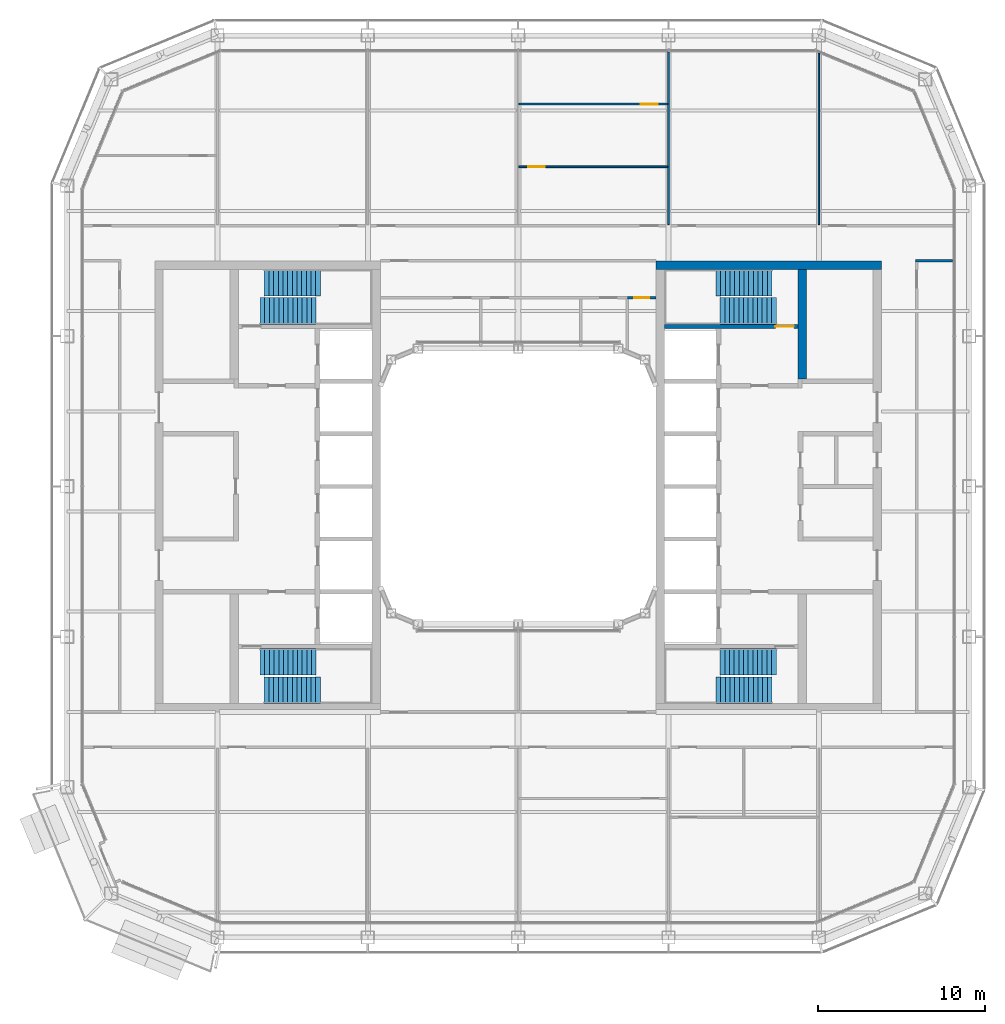
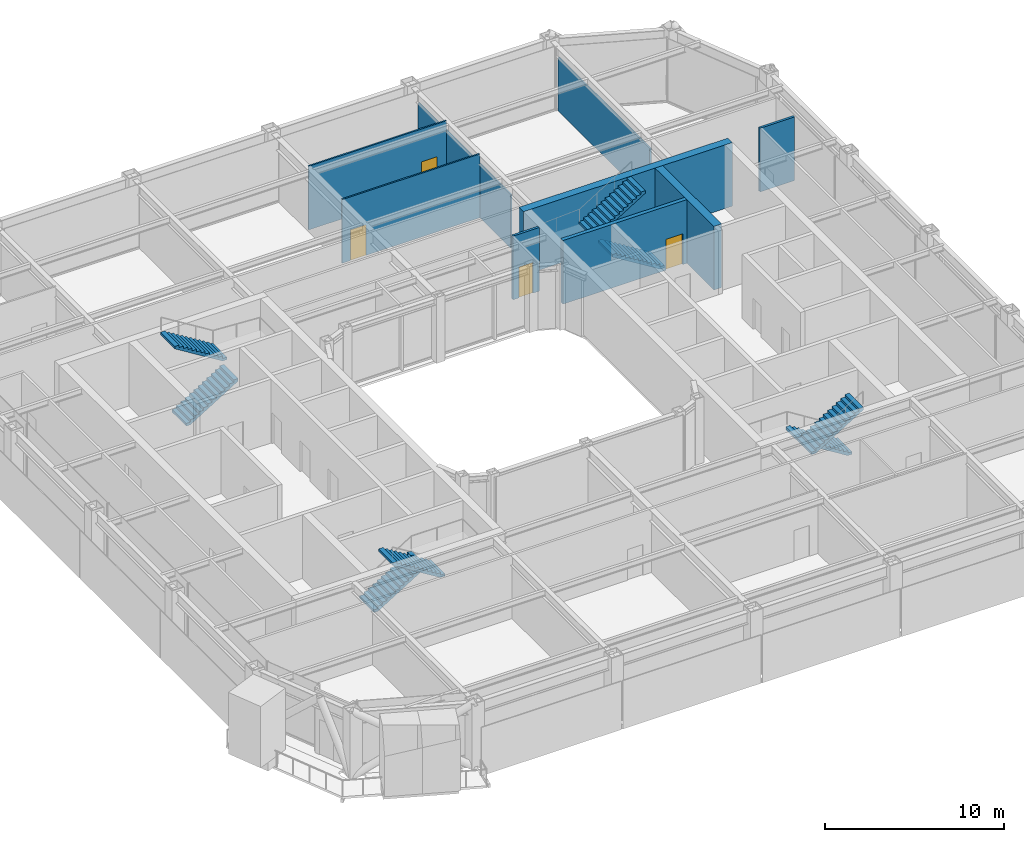
# One storey, part 16 of 23: 9 walls, 8 stair flights, 4 doors, 4 openings, 4 elements without a shape of their own.
"""IFC4 building model written with IfcOpenShell, lengths in metres."""

from ifc_helpers import new_model, si_unit, direction, frame, frame_2d, origin, place, context, subcontext, project, spatial, polyline, rectangle, outline, extrude, material, layer, layer_set, type_object, element, fill, aggregate, save


model = new_model("IFC4")

# Units and contexts
model_context = context("Model", 3, precision=1e-05, world=origin(), true_north=direction((0.0, 1.0)))
body_context = subcontext(model_context, "Body", "Model", "MODEL_VIEW")
ifc_project = project(units=[si_unit("LENGTHUNIT", "METRE"), si_unit("AREAUNIT", "SQUARE_METRE"), si_unit("VOLUMEUNIT", "CUBIC_METRE"), si_unit("PLANEANGLEUNIT", "RADIAN"), si_unit("MASSUNIT", "GRAM", prefix="KILO")], contexts=[model_context])

# Site, building, storey
site_placement = place(None, origin())
site = spatial("IfcSite", under=ifc_project, at=site_placement, CompositionType="ELEMENT")
building_placement = place(site_placement, origin())
building = spatial("IfcBuilding", under=site, at=building_placement, Name="Siwar Civic Tower", CompositionType="ELEMENT")
storey_placement = place(building_placement, frame((0.0, 0.0, 269.199951171875)))
storey = spatial("IfcBuildingStorey", under=building, at=storey_placement, Name="L58", CompositionType="ELEMENT", Elevation=269.199951171875)

# Wall, opening, door
ifc_material_1 = material(Name="Gypsum board on steel studs", Category="steel")
ifc_layer_1 = layer(ifc_material_1, 0.14990234375)
ifc_layer_set_1 = layer_set([ifc_layer_1], Name="Gypsum board on steel studs")
wall_type_1 = type_object("IfcWallType", Name="COMPARTMENT PARTITION 150 EI 60", PredefinedType="PARTITIONING", material=ifc_layer_set_1)
wall_1_placement = place(storey_placement, frame((6.5400390625, 11.300048828125, 0.0), z_axis=(0.0, 0.0, 1.0), x_axis=(1.0, 0.0, 0.0)))
wall_1 = element("IfcWall", 1, at=wall_1_placement, inside=storey, type_object=wall_type_1, Name="L58/wall/P09", PredefinedType="PARTITIONING", context=body_context, shape_type="SweptSolid", body=[
    extrude(rectangle(XDim=1.7099609375, YDim=0.14990234375, at=frame_2d((0.85498046875, 0.0))), origin(), (0.0, 0.0, 1.0), 4.35009765625),
])
opening_1_placement = place(wall_1_placement, frame((0.39990234375, 0.0, 0.0)))
opening_1 = element("IfcOpeningElement", 2, at=opening_1_placement, cuts=wall_1, Name="Opening D4", PredefinedType="OPENING", context=body_context, shape_type="SweptSolid", body=[
    extrude(rectangle(XDim=0.89990234375, YDim=2.10009765625, at=frame_2d((0.449951171875, 1.050048828125))), frame((0.0, 0.0849609375, 0.0), z_axis=(0.0, -1.0, 0.0), x_axis=(1.0, 0.0, 0.0)), (0.0, 0.0, 1.0), 0.169921875),
])
ifc_material_2 = material(Name="Timber, painted", Category="wood")
door_type_1 = type_object("IfcDoorType", Name="DOOR 900 X 2100 FD60", OperationType="SINGLE_SWING_LEFT", PredefinedType="DOOR", material=ifc_material_2)
door_1_placement = place(opening_1_placement, origin())
door_1 = element("IfcDoor", 3, at=door_1_placement, inside=storey, type_object=door_type_1, Name="L58-D25", OperationType="SINGLE_SWING_LEFT", OverallHeight=2.10009765625, OverallWidth=0.89990234375, PredefinedType="DOOR", context=body_context, shape_type="SweptSolid", body=[
    extrude(rectangle(XDim=0.89990234375, YDim=2.10009765625, at=frame_2d((0.449951171875, 1.050048828125))), frame((0.0, 0.02490234375, 0.0), z_axis=(0.0, -1.0, 0.0), x_axis=(1.0, 0.0, 0.0)), (0.0, 0.0, 1.0), 0.050048828125),
])
fill(opening_1, door_1)

ifc_material_3 = material(Name="Concrete C60/75", Category="concrete")
ifc_layer_2 = layer(ifc_material_3, 0.25)
ifc_layer_set_2 = layer_set([ifc_layer_2], Name="Concrete C60/75")
wall_type_2 = type_object("IfcWallType", Name="CORE-WALL-RC250", PredefinedType="SHEAR", material=ifc_layer_set_2)
wall_2_placement = place(storey_placement, frame((8.75, 9.574951171875, 0.0), z_axis=(0.0, 0.0, 1.0), x_axis=(1.0, 0.0, 0.0)))
wall_2 = element("IfcWall", 4, at=wall_2_placement, inside=storey, type_object=wall_type_2, Name="Core wall E", PredefinedType="SHEAR", context=body_context, shape_type="SweptSolid", body=[
    extrude(rectangle(XDim=8.0, YDim=0.25, at=frame_2d((4.0, 0.0))), origin(), (0.0, 0.0, 1.0), 4.35009765625),
])
opening_2_placement = place(wall_2_placement, frame((6.64990234375, 0.0, 0.0)))
opening_2 = element("IfcOpeningElement", 5, at=opening_2_placement, cuts=wall_2, Name="Opening L58-CE03", PredefinedType="OPENING", context=body_context, shape_type="SweptSolid", body=[
    extrude(rectangle(XDim=1.10009765625, YDim=2.10009765625, at=frame_2d((0.550048828125, 1.050048828125))), frame((0.0, 0.135009765625, 0.0), z_axis=(0.0, -1.0, 0.0), x_axis=(1.0, 0.0, 0.0)), (0.0, 0.0, 1.0), 0.27001953125),
])
ifc_material_4 = material(Name="Steel door leaf", Category="steel")
door_type_2 = type_object("IfcDoorType", Name="CORE-DOOR-FD60S", OperationType="SINGLE_SWING_LEFT", PredefinedType="DOOR", material=ifc_material_4)
door_2_placement = place(opening_2_placement, origin())
door_2 = element("IfcDoor", 6, at=door_2_placement, inside=storey, type_object=door_type_2, Name="Stair door L58-CE03", OperationType="SINGLE_SWING_LEFT", OverallHeight=2.10009765625, OverallWidth=1.10009765625, PredefinedType="DOOR", context=body_context, shape_type="SweptSolid", body=[
    extrude(rectangle(XDim=1.10009765625, YDim=2.10009765625, at=frame_2d((0.550048828125, 1.050048828125))), frame((0.0, 0.02490234375, 0.0), z_axis=(0.0, -1.0, 0.0), x_axis=(1.0, 0.0, 0.0)), (0.0, 0.0, 1.0), 0.050048828125),
])
fill(opening_2, door_2)

# Walls
ifc_material_5 = material(Name="Concrete C60/75", Category="concrete")
ifc_layer_3 = layer(ifc_material_5, 0.5)
ifc_layer_set_3 = layer_set([ifc_layer_3], Name="Concrete C60/75")
wall_type_3 = type_object("IfcWallType", Name="CORE-WALL-RC500", PredefinedType="SHEAR", material=ifc_layer_set_3)
wall_3_placement = place(storey_placement, frame((17.0, 6.425048828125, 0.0), z_axis=(0.0, 0.0, 1.0), x_axis=(0.0, 1.0, 0.0)))
element("IfcWall", 7, at=wall_3_placement, inside=storey, type_object=wall_type_3, Name="Core wall E", PredefinedType="SHEAR", context=body_context, shape_type="SweptSolid", body=[
    extrude(rectangle(XDim=6.574951171875, YDim=0.5, at=frame_2d((3.28759765625, 0.0))), origin(), (0.0, 0.0, 1.0), 4.35009765625),
])
wall_4_placement = place(storey_placement, frame((8.25, 13.25, 0.0), z_axis=(0.0, 0.0, 1.0), x_axis=(1.0, 0.0, 0.0)))
element("IfcWall", 8, at=wall_4_placement, inside=storey, type_object=wall_type_3, Name="Core wall E", PredefinedType="SHEAR", context=body_context, shape_type="SweptSolid", body=[
    extrude(rectangle(XDim=13.5, YDim=0.5, at=frame_2d((6.75, 0.0))), origin(), (0.0, 0.0, 1.0), 4.35009765625),
])
ifc_material_6 = material(Name="Gypsum board on steel studs", Category="steel")
ifc_layer_4 = layer(ifc_material_6, 0.14990234375)
ifc_layer_set_4 = layer_set([ifc_layer_4], Name="Gypsum board on steel studs")
wall_type_4 = type_object("IfcWallType", Name="CORRIDOR PARTITION 150 EI 30", PredefinedType="PARTITIONING", material=ifc_layer_set_4)
wall_5_placement = place(storey_placement, frame((23.77490234375, 13.5, 0.0), z_axis=(0.0, 0.0, 1.0), x_axis=(1.0, 0.0, 0.0)))
element("IfcWall", 9, at=wall_5_placement, inside=storey, type_object=wall_type_4, Name="L58/wall/P12", PredefinedType="PARTITIONING", context=body_context, shape_type="SweptSolid", body=[
    extrude(rectangle(XDim=2.235107421875, YDim=0.14990234375, at=frame_2d((1.11767578125, 0.0))), origin(), (0.0, 0.0, 1.0), 4.35009765625),
])

# Wall, opening, door
ifc_material_7 = material(Name="Gypsum board on steel studs", Category="steel")
ifc_layer_5 = layer(ifc_material_7, 0.10009765625)
ifc_layer_set_5 = layer_set([ifc_layer_5], Name="Gypsum board on steel studs")
wall_type_5 = type_object("IfcWallType", Name="PARTITION 100 GYPSUM", PredefinedType="PARTITIONING", material=ifc_layer_set_5)
wall_6_placement = place(storey_placement, frame((0.050048828125, 19.138916015625, 0.0), z_axis=(0.0, 0.0, 1.0), x_axis=(1.0, 0.0, 0.0)))
wall_6 = element("IfcWall", 10, at=wall_6_placement, inside=storey, type_object=wall_type_5, Name="L58/wall/P14", PredefinedType="PARTITIONING", context=body_context, shape_type="SweptSolid", body=[
    extrude(rectangle(XDim=8.89990234375, YDim=0.10009765625, at=frame_2d((4.449951171875, 0.0))), origin(), (0.0, 0.0, 1.0), 4.35009765625),
])
opening_3_placement = place(wall_6_placement, frame((0.550048828125, 0.0, 0.0)))
opening_3 = element("IfcOpeningElement", 11, at=opening_3_placement, cuts=wall_6, Name="Opening D2", PredefinedType="OPENING", context=body_context, shape_type="SweptSolid", body=[
    extrude(rectangle(XDim=1.0, YDim=2.10009765625, at=frame_2d((0.5, 1.050048828125))), frame((0.0, 0.06005859375, 0.0), z_axis=(0.0, -1.0, 0.0), x_axis=(1.0, 0.0, 0.0)), (0.0, 0.0, 1.0), 0.1201171875),
])
ifc_material_8 = material(Name="Timber, painted", Category="wood")
door_type_3 = type_object("IfcDoorType", Name="DOOR 1000 X 2100", OperationType="SINGLE_SWING_LEFT", PredefinedType="DOOR", material=ifc_material_8)
door_3_placement = place(opening_3_placement, origin())
door_3 = element("IfcDoor", 12, at=door_3_placement, inside=storey, type_object=door_type_3, Name="L58-D04", OperationType="SINGLE_SWING_RIGHT", OverallHeight=2.10009765625, OverallWidth=1.0, PredefinedType="DOOR", context=body_context, shape_type="SweptSolid", body=[
    extrude(rectangle(XDim=1.0, YDim=2.10009765625, at=frame_2d((0.5, 1.050048828125))), frame((0.0, 0.02490234375, 0.0), z_axis=(0.0, -1.0, 0.0), x_axis=(1.0, 0.0, 0.0)), (0.0, 0.0, 1.0), 0.050048828125),
])
fill(opening_3, door_3)

wall_7_placement = place(storey_placement, frame((0.050048828125, 22.886962890625, 0.0), z_axis=(0.0, 0.0, 1.0), x_axis=(1.0, 0.0, 0.0)))
wall_7 = element("IfcWall", 13, at=wall_7_placement, inside=storey, type_object=wall_type_5, Name="L58/wall/P16", PredefinedType="PARTITIONING", context=body_context, shape_type="SweptSolid", body=[
    extrude(rectangle(XDim=8.89990234375, YDim=0.10009765625, at=frame_2d((4.449951171875, 0.0))), origin(), (0.0, 0.0, 1.0), 4.35009765625),
])
opening_4_placement = place(wall_7_placement, frame((7.300048828125, 0.0, 0.0)))
opening_4 = element("IfcOpeningElement", 14, at=opening_4_placement, cuts=wall_7, Name="Opening D2", PredefinedType="OPENING", context=body_context, shape_type="SweptSolid", body=[
    extrude(rectangle(XDim=1.0, YDim=2.10009765625, at=frame_2d((0.5, 1.050048828125))), frame((0.0, 0.06005859375, 0.0), z_axis=(0.0, -1.0, 0.0), x_axis=(1.0, 0.0, 0.0)), (0.0, 0.0, 1.0), 0.1201171875),
])
door_4_placement = place(opening_4_placement, origin())
door_4 = element("IfcDoor", 15, at=door_4_placement, inside=storey, type_object=door_type_3, Name="L58-D05", OperationType="SINGLE_SWING_LEFT", OverallHeight=2.10009765625, OverallWidth=1.0, PredefinedType="DOOR", context=body_context, shape_type="SweptSolid", body=[
    extrude(rectangle(XDim=1.0, YDim=2.10009765625, at=frame_2d((0.5, 1.050048828125))), frame((0.0, 0.02490234375, 0.0), z_axis=(0.0, -1.0, 0.0), x_axis=(1.0, 0.0, 0.0)), (0.0, 0.0, 1.0), 0.050048828125),
])
fill(opening_4, door_4)

# Walls
wall_8_placement = place(storey_placement, frame((9.0, 15.675048828125, 0.0), z_axis=(0.0, 0.0, 1.0), x_axis=(0.0, 1.0, 0.0)))
element("IfcWall", 16, at=wall_8_placement, inside=storey, type_object=wall_type_5, Name="L58/wall/P29", PredefinedType="PARTITIONING", context=body_context, shape_type="SweptSolid", body=[
    extrude(rectangle(XDim=10.3349609375, YDim=0.10009765625, at=frame_2d((5.16748046875, 0.0))), origin(), (0.0, 0.0, 1.0), 3.650146484375),
])
wall_9_placement = place(storey_placement, frame((18.0, 15.675048828125, 0.0), z_axis=(0.0, 0.0, 1.0), x_axis=(0.0, 1.0, 0.0)))
element("IfcWall", 17, at=wall_9_placement, inside=storey, type_object=wall_type_5, Name="L58/wall/P32", PredefinedType="PARTITIONING", context=body_context, shape_type="SweptSolid", body=[
    extrude(rectangle(XDim=10.2529296875, YDim=0.10009765625, at=frame_2d((5.12646484375, 0.0))), origin(), (0.0, 0.0, 1.0), 3.650146484375),
])

# Stair, stair flights
ifc_material_9 = material(Name="Concrete C40/50", Category="concrete")
stair_type = type_object("IfcStairType", Name="CORE-STAIR", PredefinedType="TWO_STRAIGHT_RUN_STAIR", material=ifc_material_9)
stair_1_placement = place(storey_placement, origin())
stair_1 = element("IfcStair", 18, at=stair_1_placement, inside=storey, type_object=stair_type, Name="Exit stair ST1", PredefinedType="TWO_STRAIGHT_RUN_STAIR")
ifc_material_10 = material(Name="Concrete C40/50", Category="concrete")
stair_flight_type = type_object("IfcStairFlightType", Name="CORE-STAIR-FLIGHT", PredefinedType="STRAIGHT", material=ifc_material_10)
stair_flight_1_placement = place(storey_placement, frame((-15.449951171875, 10.5, 0.0), z_axis=(0.0, 0.0, 1.0), x_axis=(1.0, 0.0, 0.0)))
stair_flight_1 = element("IfcStairFlight", 19, at=stair_flight_1_placement, type_object=stair_flight_type, Name="ST1 flight 1", NumberOfRisers=13, NumberOfTreads=12, PredefinedType="STRAIGHT", RiserHeight=0.173076923, TreadLength=0.28, context=body_context, shape_type="SweptSolid", body=[
    extrude(outline(polyline([(0.0, 0.0), (0.0, 0.173095703125), (0.280029296875, 0.173095703125), (0.280029296875, 0.34619140625), (0.56005859375, 0.34619140625), (0.56005859375, 0.519287109375), (0.840087890625, 0.519287109375), (0.840087890625, 0.6923828125), (1.1201171875, 0.6923828125), (1.1201171875, 0.865478515625), (1.39990234375, 0.865478515625), (1.39990234375, 1.03857421875), (1.679931640625, 1.03857421875), (1.679931640625, 1.21142578125), (1.9599609375, 1.21142578125), (1.9599609375, 1.384521484375), (2.239990234375, 1.384521484375), (2.239990234375, 1.5576171875), (2.52001953125, 1.5576171875), (2.52001953125, 1.730712890625), (2.800048828125, 1.730712890625), (2.800048828125, 1.90380859375), (3.080078125, 1.90380859375), (3.080078125, 2.076904296875), (3.360107421875, 2.076904296875), (3.360107421875, 2.25), (3.360107421875, 1.900634765625), (0.28515625, 0.0), (0.0, 0.0)])), frame((0.0, 0.800048828125, 0.0), z_axis=(0.0, -1.0, 0.0), x_axis=(1.0, 0.0, 0.0)), (0.0, 0.0, 1.0), 1.60009765625),
])
stair_flight_2_placement = place(storey_placement, frame((-11.840087890625, 12.199951171875, 2.25), z_axis=(0.0, 0.0, 1.0), x_axis=(-1.0, 0.0, 0.0)))
stair_flight_2 = element("IfcStairFlight", 20, at=stair_flight_2_placement, type_object=stair_flight_type, Name="ST1 flight 2", NumberOfRisers=13, NumberOfTreads=12, PredefinedType="STRAIGHT", RiserHeight=0.173076923, TreadLength=0.28, context=body_context, shape_type="SweptSolid", body=[
    extrude(outline(polyline([(0.0, 0.0), (0.0, 0.173095703125), (0.280029296875, 0.173095703125), (0.280029296875, 0.34619140625), (0.56005859375, 0.34619140625), (0.56005859375, 0.519287109375), (0.840087890625, 0.519287109375), (0.840087890625, 0.6923828125), (1.1201171875, 0.6923828125), (1.1201171875, 0.865478515625), (1.39990234375, 0.865478515625), (1.39990234375, 1.03857421875), (1.679931640625, 1.03857421875), (1.679931640625, 1.21142578125), (1.9599609375, 1.21142578125), (1.9599609375, 1.384521484375), (2.239990234375, 1.384521484375), (2.239990234375, 1.5576171875), (2.52001953125, 1.5576171875), (2.52001953125, 1.730712890625), (2.800048828125, 1.730712890625), (2.800048828125, 1.90380859375), (3.080078125, 1.90380859375), (3.080078125, 2.076904296875), (3.360107421875, 2.076904296875), (3.360107421875, 2.25), (3.360107421875, 1.900634765625), (0.28515625, 0.0), (0.0, 0.0)])), frame((0.0, 0.800048828125, 0.0), z_axis=(0.0, -1.0, 0.0), x_axis=(1.0, 0.0, 0.0)), (0.0, 0.0, 1.0), 1.60009765625),
])
aggregate(stair_1, [stair_flight_1, stair_flight_2])

stair_2_placement = place(storey_placement, origin())
stair_2 = element("IfcStair", 21, at=stair_2_placement, inside=storey, type_object=stair_type, Name="Exit stair ST2", PredefinedType="TWO_STRAIGHT_RUN_STAIR")
stair_flight_3_placement = place(storey_placement, frame((-15.449951171875, -10.5, 0.0), z_axis=(0.0, 0.0, 1.0), x_axis=(1.0, 0.0, 0.0)))
stair_flight_3 = element("IfcStairFlight", 22, at=stair_flight_3_placement, type_object=stair_flight_type, Name="ST2 flight 1", NumberOfRisers=13, NumberOfTreads=12, PredefinedType="STRAIGHT", RiserHeight=0.173076923, TreadLength=0.28, context=body_context, shape_type="SweptSolid", body=[
    extrude(outline(polyline([(0.0, 0.0), (0.0, 0.173095703125), (0.280029296875, 0.173095703125), (0.280029296875, 0.34619140625), (0.56005859375, 0.34619140625), (0.56005859375, 0.519287109375), (0.840087890625, 0.519287109375), (0.840087890625, 0.6923828125), (1.1201171875, 0.6923828125), (1.1201171875, 0.865478515625), (1.39990234375, 0.865478515625), (1.39990234375, 1.03857421875), (1.679931640625, 1.03857421875), (1.679931640625, 1.21142578125), (1.9599609375, 1.21142578125), (1.9599609375, 1.384521484375), (2.239990234375, 1.384521484375), (2.239990234375, 1.5576171875), (2.52001953125, 1.5576171875), (2.52001953125, 1.730712890625), (2.800048828125, 1.730712890625), (2.800048828125, 1.90380859375), (3.080078125, 1.90380859375), (3.080078125, 2.076904296875), (3.360107421875, 2.076904296875), (3.360107421875, 2.25), (3.360107421875, 1.900634765625), (0.28515625, 0.0), (0.0, 0.0)])), frame((0.0, 0.800048828125, 0.0), z_axis=(0.0, -1.0, 0.0), x_axis=(1.0, 0.0, 0.0)), (0.0, 0.0, 1.0), 1.60009765625),
])
stair_flight_4_placement = place(storey_placement, frame((-11.840087890625, -12.199951171875, 2.25), z_axis=(0.0, 0.0, 1.0), x_axis=(-1.0, 0.0, 0.0)))
stair_flight_4 = element("IfcStairFlight", 23, at=stair_flight_4_placement, type_object=stair_flight_type, Name="ST2 flight 2", NumberOfRisers=13, NumberOfTreads=12, PredefinedType="STRAIGHT", RiserHeight=0.173076923, TreadLength=0.28, context=body_context, shape_type="SweptSolid", body=[
    extrude(outline(polyline([(0.0, 0.0), (0.0, 0.173095703125), (0.280029296875, 0.173095703125), (0.280029296875, 0.34619140625), (0.56005859375, 0.34619140625), (0.56005859375, 0.519287109375), (0.840087890625, 0.519287109375), (0.840087890625, 0.6923828125), (1.1201171875, 0.6923828125), (1.1201171875, 0.865478515625), (1.39990234375, 0.865478515625), (1.39990234375, 1.03857421875), (1.679931640625, 1.03857421875), (1.679931640625, 1.21142578125), (1.9599609375, 1.21142578125), (1.9599609375, 1.384521484375), (2.239990234375, 1.384521484375), (2.239990234375, 1.5576171875), (2.52001953125, 1.5576171875), (2.52001953125, 1.730712890625), (2.800048828125, 1.730712890625), (2.800048828125, 1.90380859375), (3.080078125, 1.90380859375), (3.080078125, 2.076904296875), (3.360107421875, 2.076904296875), (3.360107421875, 2.25), (3.360107421875, 1.900634765625), (0.28515625, 0.0), (0.0, 0.0)])), frame((0.0, 0.800048828125, 0.0), z_axis=(0.0, -1.0, 0.0), x_axis=(1.0, 0.0, 0.0)), (0.0, 0.0, 1.0), 1.60009765625),
])
aggregate(stair_2, [stair_flight_3, stair_flight_4])

stair_3_placement = place(storey_placement, origin())
stair_3 = element("IfcStair", 24, at=stair_3_placement, inside=storey, type_object=stair_type, Name="Exit stair ST3", PredefinedType="TWO_STRAIGHT_RUN_STAIR")
stair_flight_5_placement = place(storey_placement, frame((15.449951171875, 10.5, 0.0), z_axis=(0.0, 0.0, 1.0), x_axis=(-1.0, 0.0, 0.0)))
stair_flight_5 = element("IfcStairFlight", 25, at=stair_flight_5_placement, type_object=stair_flight_type, Name="ST3 flight 1", NumberOfRisers=13, NumberOfTreads=12, PredefinedType="STRAIGHT", RiserHeight=0.173076923, TreadLength=0.28, context=body_context, shape_type="SweptSolid", body=[
    extrude(outline(polyline([(0.0, 0.0), (0.0, 0.173095703125), (0.280029296875, 0.173095703125), (0.280029296875, 0.34619140625), (0.56005859375, 0.34619140625), (0.56005859375, 0.519287109375), (0.840087890625, 0.519287109375), (0.840087890625, 0.6923828125), (1.1201171875, 0.6923828125), (1.1201171875, 0.865478515625), (1.39990234375, 0.865478515625), (1.39990234375, 1.03857421875), (1.679931640625, 1.03857421875), (1.679931640625, 1.21142578125), (1.9599609375, 1.21142578125), (1.9599609375, 1.384521484375), (2.239990234375, 1.384521484375), (2.239990234375, 1.5576171875), (2.52001953125, 1.5576171875), (2.52001953125, 1.730712890625), (2.800048828125, 1.730712890625), (2.800048828125, 1.90380859375), (3.080078125, 1.90380859375), (3.080078125, 2.076904296875), (3.360107421875, 2.076904296875), (3.360107421875, 2.25), (3.360107421875, 1.900634765625), (0.28515625, 0.0), (0.0, 0.0)])), frame((0.0, 0.800048828125, 0.0), z_axis=(0.0, -1.0, 0.0), x_axis=(1.0, 0.0, 0.0)), (0.0, 0.0, 1.0), 1.60009765625),
])
stair_flight_6_placement = place(storey_placement, frame((11.840087890625, 12.199951171875, 2.25), z_axis=(0.0, 0.0, 1.0), x_axis=(1.0, 0.0, 0.0)))
stair_flight_6 = element("IfcStairFlight", 26, at=stair_flight_6_placement, type_object=stair_flight_type, Name="ST3 flight 2", NumberOfRisers=13, NumberOfTreads=12, PredefinedType="STRAIGHT", RiserHeight=0.173076923, TreadLength=0.28, context=body_context, shape_type="SweptSolid", body=[
    extrude(outline(polyline([(0.0, 0.0), (0.0, 0.173095703125), (0.280029296875, 0.173095703125), (0.280029296875, 0.34619140625), (0.56005859375, 0.34619140625), (0.56005859375, 0.519287109375), (0.840087890625, 0.519287109375), (0.840087890625, 0.6923828125), (1.1201171875, 0.6923828125), (1.1201171875, 0.865478515625), (1.39990234375, 0.865478515625), (1.39990234375, 1.03857421875), (1.679931640625, 1.03857421875), (1.679931640625, 1.21142578125), (1.9599609375, 1.21142578125), (1.9599609375, 1.384521484375), (2.239990234375, 1.384521484375), (2.239990234375, 1.5576171875), (2.52001953125, 1.5576171875), (2.52001953125, 1.730712890625), (2.800048828125, 1.730712890625), (2.800048828125, 1.90380859375), (3.080078125, 1.90380859375), (3.080078125, 2.076904296875), (3.360107421875, 2.076904296875), (3.360107421875, 2.25), (3.360107421875, 1.900634765625), (0.28515625, 0.0), (0.0, 0.0)])), frame((0.0, 0.800048828125, 0.0), z_axis=(0.0, -1.0, 0.0), x_axis=(1.0, 0.0, 0.0)), (0.0, 0.0, 1.0), 1.60009765625),
])
aggregate(stair_3, [stair_flight_5, stair_flight_6])

stair_4_placement = place(storey_placement, origin())
stair_4 = element("IfcStair", 27, at=stair_4_placement, inside=storey, type_object=stair_type, Name="Exit stair ST4", PredefinedType="TWO_STRAIGHT_RUN_STAIR")
stair_flight_7_placement = place(storey_placement, frame((15.449951171875, -10.5, 0.0), z_axis=(0.0, 0.0, 1.0), x_axis=(-1.0, 0.0, 0.0)))
stair_flight_7 = element("IfcStairFlight", 28, at=stair_flight_7_placement, type_object=stair_flight_type, Name="ST4 flight 1", NumberOfRisers=13, NumberOfTreads=12, PredefinedType="STRAIGHT", RiserHeight=0.173076923, TreadLength=0.28, context=body_context, shape_type="SweptSolid", body=[
    extrude(outline(polyline([(0.0, 0.0), (0.0, 0.173095703125), (0.280029296875, 0.173095703125), (0.280029296875, 0.34619140625), (0.56005859375, 0.34619140625), (0.56005859375, 0.519287109375), (0.840087890625, 0.519287109375), (0.840087890625, 0.6923828125), (1.1201171875, 0.6923828125), (1.1201171875, 0.865478515625), (1.39990234375, 0.865478515625), (1.39990234375, 1.03857421875), (1.679931640625, 1.03857421875), (1.679931640625, 1.21142578125), (1.9599609375, 1.21142578125), (1.9599609375, 1.384521484375), (2.239990234375, 1.384521484375), (2.239990234375, 1.5576171875), (2.52001953125, 1.5576171875), (2.52001953125, 1.730712890625), (2.800048828125, 1.730712890625), (2.800048828125, 1.90380859375), (3.080078125, 1.90380859375), (3.080078125, 2.076904296875), (3.360107421875, 2.076904296875), (3.360107421875, 2.25), (3.360107421875, 1.900634765625), (0.28515625, 0.0), (0.0, 0.0)])), frame((0.0, 0.800048828125, 0.0), z_axis=(0.0, -1.0, 0.0), x_axis=(1.0, 0.0, 0.0)), (0.0, 0.0, 1.0), 1.60009765625),
])
stair_flight_8_placement = place(storey_placement, frame((11.840087890625, -12.199951171875, 2.25), z_axis=(0.0, 0.0, 1.0), x_axis=(1.0, 0.0, 0.0)))
stair_flight_8 = element("IfcStairFlight", 29, at=stair_flight_8_placement, type_object=stair_flight_type, Name="ST4 flight 2", NumberOfRisers=13, NumberOfTreads=12, PredefinedType="STRAIGHT", RiserHeight=0.173076923, TreadLength=0.28, context=body_context, shape_type="SweptSolid", body=[
    extrude(outline(polyline([(0.0, 0.0), (0.0, 0.173095703125), (0.280029296875, 0.173095703125), (0.280029296875, 0.34619140625), (0.56005859375, 0.34619140625), (0.56005859375, 0.519287109375), (0.840087890625, 0.519287109375), (0.840087890625, 0.6923828125), (1.1201171875, 0.6923828125), (1.1201171875, 0.865478515625), (1.39990234375, 0.865478515625), (1.39990234375, 1.03857421875), (1.679931640625, 1.03857421875), (1.679931640625, 1.21142578125), (1.9599609375, 1.21142578125), (1.9599609375, 1.384521484375), (2.239990234375, 1.384521484375), (2.239990234375, 1.5576171875), (2.52001953125, 1.5576171875), (2.52001953125, 1.730712890625), (2.800048828125, 1.730712890625), (2.800048828125, 1.90380859375), (3.080078125, 1.90380859375), (3.080078125, 2.076904296875), (3.360107421875, 2.076904296875), (3.360107421875, 2.25), (3.360107421875, 1.900634765625), (0.28515625, 0.0), (0.0, 0.0)])), frame((0.0, 0.800048828125, 0.0), z_axis=(0.0, -1.0, 0.0), x_axis=(1.0, 0.0, 0.0)), (0.0, 0.0, 1.0), 1.60009765625),
])
aggregate(stair_4, [stair_flight_7, stair_flight_8])

save(model, "model.ifc")
